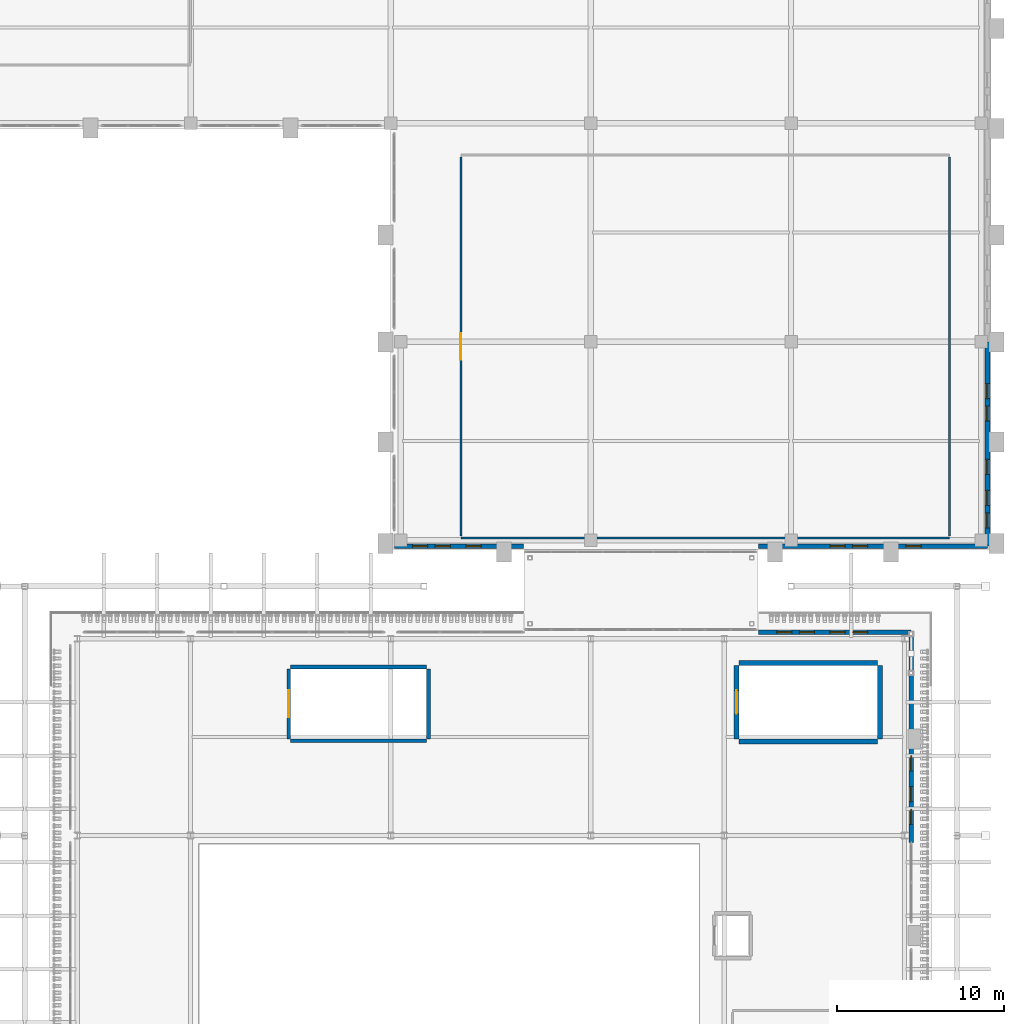
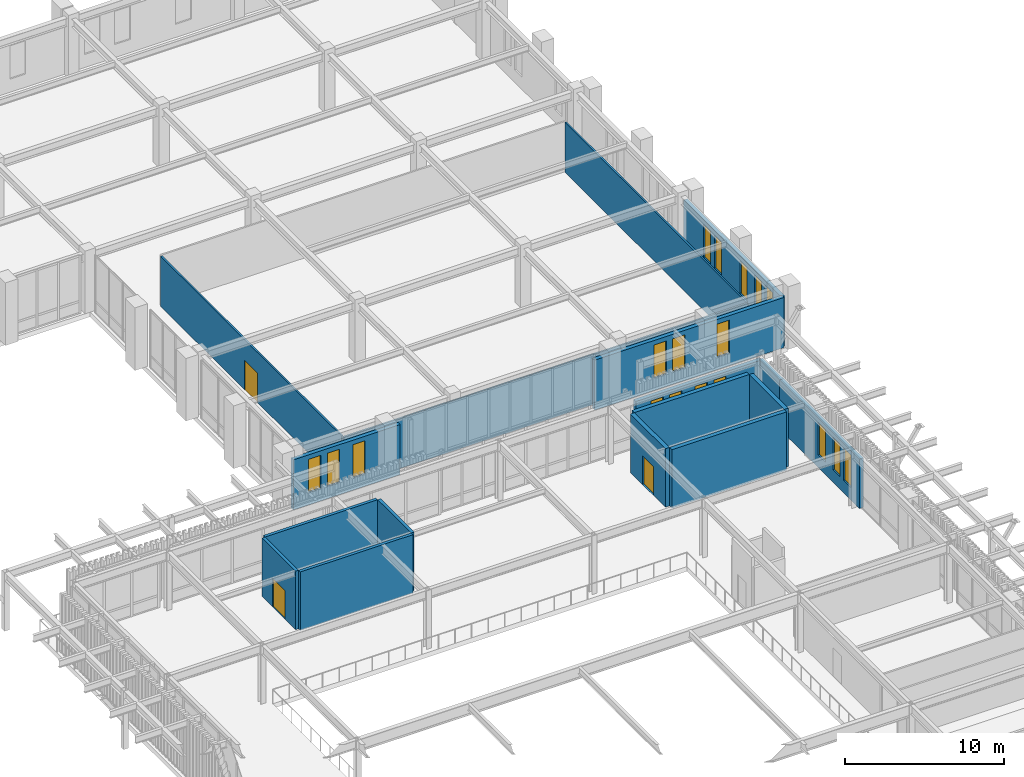
# One storey, part 99 of 126: 18 windows, 17 walls, 3 doors, 21 openings.
"""IFC4 building model written with IfcOpenShell, lengths in metres."""

from ifc_helpers import new_model, si_unit, derived_unit, direction, frame, frame_2d, origin, place, context, subcontext, project, spatial, rectangle, extrude, material, layer, layer_set, type_object, element, fill, save


model = new_model("IFC4")

# Units and contexts
model_context = context("Model", 3, precision=1e-05, world=origin(), true_north=direction((0.0, 1.0)))
body_context = subcontext(model_context, "Body", "Model", "MODEL_VIEW")
ifc_project = project(units=[si_unit("LENGTHUNIT", "METRE"), si_unit("AREAUNIT", "SQUARE_METRE"), si_unit("VOLUMEUNIT", "CUBIC_METRE"), si_unit("PLANEANGLEUNIT", "RADIAN"), si_unit("MASSUNIT", "GRAM", prefix="KILO"), derived_unit("THERMALTRANSMITTANCEUNIT", [(si_unit("MASSUNIT", "GRAM", prefix="KILO"), 1), (si_unit("TIMEUNIT", "SECOND"), -3), (si_unit("THERMODYNAMICTEMPERATUREUNIT", "KELVIN"), -1)])], contexts=[model_context])

# Site, building, storey
site_placement = place(None, origin())
site = spatial("IfcSite", under=ifc_project, at=site_placement, CompositionType="ELEMENT")
building_placement = place(site_placement, origin())
building = spatial("IfcBuilding", under=site, at=building_placement, Name="Valcora Ridge Arena", CompositionType="ELEMENT")
storey_placement = place(building_placement, frame((0.0, 0.0, 11.39990234375)))
storey = spatial("IfcBuildingStorey", under=building, at=storey_placement, Name="L02", CompositionType="ELEMENT", Elevation=11.39990234375)

# Wall, openings, windows
ifc_material_1 = material(Name="Bush-hammered Andean travertine on concrete backup C40/50", Category="masonry")
ifc_layer_1 = layer(ifc_material_1, 0.280029296875, Name="Bush-hammered Andean travertine on concrete backup C40/50")
ifc_layer_set_1 = layer_set([ifc_layer_1], Name="Bush-hammered Andean travertine on concrete backup C40/50")
wall_type_1 = type_object("IfcWallType", Name="TY-WALL-EW-TRV-28-38", PredefinedType="STANDARD", material=ifc_layer_set_1)
wall_1_placement = place(storey_placement, frame((187.199951171875, 65.580078125, 0.0), z_axis=(0.0, 0.0, 1.0), x_axis=(0.0, 1.0, 0.0)))
wall_1 = element("IfcWall", 1, at=wall_1_placement, inside=storey, type_object=wall_type_1, Name="EW-TRV-28-38 WAL-EW-0022", PredefinedType="STANDARD", context=body_context, shape_type="SweptSolid", body=[
    extrude(rectangle(XDim=10.02001953125, YDim=0.280029296875, at=frame_2d((5.010009765625, 0.0))), origin(), (0.0, 0.0, 1.0), 3.787109375),
])
opening_1_placement = place(wall_1_placement, frame((1.10009765625, 0.0, 0.949951171875)))
opening_1 = element("IfcOpeningElement", 2, at=opening_1_placement, cuts=wall_1, Name="Opening W-GLAN-90X249", PredefinedType="OPENING", context=body_context, shape_type="SweptSolid", body=[
    extrude(rectangle(XDim=0.89990234375, YDim=2.489990234375, at=frame_2d((0.449951171875, 1.2451171875))), frame((0.0, 0.14990234375, 0.0), z_axis=(0.0, -1.0, 0.0), x_axis=(1.0, 0.0, 0.0)), (0.0, 0.0, 1.0), 0.300048828125),
])
opening_2_placement = place(wall_1_placement, frame((2.449951171875, 0.0, 0.949951171875)))
opening_2 = element("IfcOpeningElement", 3, at=opening_2_placement, cuts=wall_1, Name="Opening W-GLAN-90X249", PredefinedType="OPENING", context=body_context, shape_type="SweptSolid", body=[
    extrude(rectangle(XDim=0.89990234375, YDim=2.489990234375, at=frame_2d((0.449951171875, 1.2451171875))), frame((0.0, 0.14990234375, 0.0), z_axis=(0.0, -1.0, 0.0), x_axis=(1.0, 0.0, 0.0)), (0.0, 0.0, 1.0), 0.300048828125),
])
opening_3_placement = place(wall_1_placement, frame((4.300048828125, 0.0, 0.949951171875)))
opening_3 = element("IfcOpeningElement", 4, at=opening_3_placement, cuts=wall_1, Name="Opening W-GLAN-90X249", PredefinedType="OPENING", context=body_context, shape_type="SweptSolid", body=[
    extrude(rectangle(XDim=0.89990234375, YDim=2.489990234375, at=frame_2d((0.449951171875, 1.2451171875))), frame((0.0, 0.14990234375, 0.0), z_axis=(0.0, -1.0, 0.0), x_axis=(1.0, 0.0, 0.0)), (0.0, 0.0, 1.0), 0.300048828125),
])
ifc_material_2 = material(Name="Low-iron solar-control double glazing SHGC 0.28", Category="glass")
window_type_1 = type_object("IfcWindowType", Name="TY-WINDOW-W-GLAN-90X249", PartitioningType="DOUBLE_PANEL_VERTICAL", PredefinedType="WINDOW", material=ifc_material_2)
window_1_placement = place(opening_1_placement, origin())
window_1 = element("IfcWindow", 5, at=window_1_placement, inside=storey, type_object=window_type_1, Name="W-GLAN-90X249 WIN-EX-0018", OverallHeight=2.489990234375, OverallWidth=0.89990234375, PartitioningType="DOUBLE_PANEL_VERTICAL", PredefinedType="WINDOW", context=body_context, shape_type="SweptSolid", body=[
    extrude(rectangle(XDim=0.89990234375, YDim=2.489990234375, at=frame_2d((0.449951171875, 1.2451171875))), frame((0.0, 0.030029296875, 0.0), z_axis=(0.0, -1.0, 0.0), x_axis=(1.0, 0.0, 0.0)), (0.0, 0.0, 1.0), 0.06005859375),
])
fill(opening_1, window_1)
window_2_placement = place(opening_2_placement, origin())
window_2 = element("IfcWindow", 6, at=window_2_placement, inside=storey, type_object=window_type_1, Name="W-GLAN-90X249 WIN-EX-0019", OverallHeight=2.489990234375, OverallWidth=0.89990234375, PartitioningType="DOUBLE_PANEL_VERTICAL", PredefinedType="WINDOW", context=body_context, shape_type="SweptSolid", body=[
    extrude(rectangle(XDim=0.89990234375, YDim=2.489990234375, at=frame_2d((0.449951171875, 1.2451171875))), frame((0.0, 0.030029296875, 0.0), z_axis=(0.0, -1.0, 0.0), x_axis=(1.0, 0.0, 0.0)), (0.0, 0.0, 1.0), 0.06005859375),
])
fill(opening_2, window_2)
window_3_placement = place(opening_3_placement, origin())
window_3 = element("IfcWindow", 7, at=window_3_placement, inside=storey, type_object=window_type_1, Name="W-GLAN-90X249 WIN-EX-0020", OverallHeight=2.489990234375, OverallWidth=0.89990234375, PartitioningType="DOUBLE_PANEL_VERTICAL", PredefinedType="WINDOW", context=body_context, shape_type="SweptSolid", body=[
    extrude(rectangle(XDim=0.89990234375, YDim=2.489990234375, at=frame_2d((0.449951171875, 1.2451171875))), frame((0.0, 0.030029296875, 0.0), z_axis=(0.0, -1.0, 0.0), x_axis=(1.0, 0.0, 0.0)), (0.0, 0.0, 1.0), 0.06005859375),
])
fill(opening_3, window_3)

# Wall
wall_2_placement = place(storey_placement, frame((187.199951171875, 75.60009765625, 0.0), z_axis=(0.0, 0.0, 1.0), x_axis=(0.0, 1.0, 0.0)))
element("IfcWall", 8, at=wall_2_placement, inside=storey, type_object=wall_type_1, Name="EW-TRV-28-38 WAL-EW-0023", PredefinedType="STANDARD", context=body_context, shape_type="SweptSolid", body=[
    extrude(rectangle(XDim=2.599853515625, YDim=0.280029296875, at=frame_2d((1.2998046875, 0.0))), origin(), (0.0, 0.0, 1.0), 3.787109375),
])

# Wall, openings, windows
wall_3_placement = place(storey_placement, frame((178.050048828125, 78.199951171875, 0.0), z_axis=(0.0, 0.0, 1.0), x_axis=(1.0, 0.0, 0.0)))
wall_3 = element("IfcWall", 9, at=wall_3_placement, inside=storey, type_object=wall_type_1, Name="EW-TRV-28-38 WAL-EW-0024", PredefinedType="STANDARD", context=body_context, shape_type="SweptSolid", body=[
    extrude(rectangle(XDim=9.14990234375, YDim=0.280029296875, at=frame_2d((4.574951171875, 0.0))), origin(), (0.0, 0.0, 1.0), 3.787109375),
])
opening_4_placement = place(wall_3_placement, frame((1.10009765625, 0.0, 0.949951171875)))
opening_4 = element("IfcOpeningElement", 10, at=opening_4_placement, cuts=wall_3, Name="Opening W-GLAN-90X249", PredefinedType="OPENING", context=body_context, shape_type="SweptSolid", body=[
    extrude(rectangle(XDim=0.89990234375, YDim=2.489990234375, at=frame_2d((0.449951171875, 1.2451171875))), frame((0.0, 0.14990234375, 0.0), z_axis=(0.0, -1.0, 0.0), x_axis=(1.0, 0.0, 0.0)), (0.0, 0.0, 1.0), 0.300048828125),
])
opening_5_placement = place(wall_3_placement, frame((2.449951171875, 0.0, 0.949951171875)))
opening_5 = element("IfcOpeningElement", 11, at=opening_5_placement, cuts=wall_3, Name="Opening W-GLAN-90X249", PredefinedType="OPENING", context=body_context, shape_type="SweptSolid", body=[
    extrude(rectangle(XDim=0.89990234375, YDim=2.489990234375, at=frame_2d((0.449951171875, 1.2451171875))), frame((0.0, 0.14990234375, 0.0), z_axis=(0.0, -1.0, 0.0), x_axis=(1.0, 0.0, 0.0)), (0.0, 0.0, 1.0), 0.300048828125),
])
opening_6_placement = place(wall_3_placement, frame((4.300048828125, 0.0, 0.949951171875)))
opening_6 = element("IfcOpeningElement", 12, at=opening_6_placement, cuts=wall_3, Name="Opening W-GLAN-90X249", PredefinedType="OPENING", context=body_context, shape_type="SweptSolid", body=[
    extrude(rectangle(XDim=0.89990234375, YDim=2.489990234375, at=frame_2d((0.449951171875, 1.2451171875))), frame((0.0, 0.14990234375, 0.0), z_axis=(0.0, -1.0, 0.0), x_axis=(1.0, 0.0, 0.0)), (0.0, 0.0, 1.0), 0.300048828125),
])
opening_7_placement = place(wall_3_placement, frame((5.64990234375, 0.0, 0.949951171875)))
opening_7 = element("IfcOpeningElement", 13, at=opening_7_placement, cuts=wall_3, Name="Opening W-GLAN-90X249", PredefinedType="OPENING", context=body_context, shape_type="SweptSolid", body=[
    extrude(rectangle(XDim=0.89990234375, YDim=2.489990234375, at=frame_2d((0.449951171875, 1.2451171875))), frame((0.0, 0.14990234375, 0.0), z_axis=(0.0, -1.0, 0.0), x_axis=(1.0, 0.0, 0.0)), (0.0, 0.0, 1.0), 0.300048828125),
])
window_4_placement = place(opening_4_placement, origin())
window_4 = element("IfcWindow", 14, at=window_4_placement, inside=storey, type_object=window_type_1, Name="W-GLAN-90X249 WIN-EX-0021", OverallHeight=2.489990234375, OverallWidth=0.89990234375, PartitioningType="DOUBLE_PANEL_VERTICAL", PredefinedType="WINDOW", context=body_context, shape_type="SweptSolid", body=[
    extrude(rectangle(XDim=0.89990234375, YDim=2.489990234375, at=frame_2d((0.449951171875, 1.2451171875))), frame((0.0, 0.030029296875, 0.0), z_axis=(0.0, -1.0, 0.0), x_axis=(1.0, 0.0, 0.0)), (0.0, 0.0, 1.0), 0.06005859375),
])
fill(opening_4, window_4)
window_5_placement = place(opening_5_placement, origin())
window_5 = element("IfcWindow", 15, at=window_5_placement, inside=storey, type_object=window_type_1, Name="W-GLAN-90X249 WIN-EX-0022", OverallHeight=2.489990234375, OverallWidth=0.89990234375, PartitioningType="DOUBLE_PANEL_VERTICAL", PredefinedType="WINDOW", context=body_context, shape_type="SweptSolid", body=[
    extrude(rectangle(XDim=0.89990234375, YDim=2.489990234375, at=frame_2d((0.449951171875, 1.2451171875))), frame((0.0, 0.030029296875, 0.0), z_axis=(0.0, -1.0, 0.0), x_axis=(1.0, 0.0, 0.0)), (0.0, 0.0, 1.0), 0.06005859375),
])
fill(opening_5, window_5)
window_6_placement = place(opening_6_placement, origin())
window_6 = element("IfcWindow", 16, at=window_6_placement, inside=storey, type_object=window_type_1, Name="W-GLAN-90X249 WIN-EX-0023", OverallHeight=2.489990234375, OverallWidth=0.89990234375, PartitioningType="DOUBLE_PANEL_VERTICAL", PredefinedType="WINDOW", context=body_context, shape_type="SweptSolid", body=[
    extrude(rectangle(XDim=0.89990234375, YDim=2.489990234375, at=frame_2d((0.449951171875, 1.2451171875))), frame((0.0, 0.030029296875, 0.0), z_axis=(0.0, -1.0, 0.0), x_axis=(1.0, 0.0, 0.0)), (0.0, 0.0, 1.0), 0.06005859375),
])
fill(opening_6, window_6)
window_7_placement = place(opening_7_placement, origin())
window_7 = element("IfcWindow", 17, at=window_7_placement, inside=storey, type_object=window_type_1, Name="W-GLAN-90X249 WIN-EX-0024", OverallHeight=2.489990234375, OverallWidth=0.89990234375, PartitioningType="DOUBLE_PANEL_VERTICAL", PredefinedType="WINDOW", context=body_context, shape_type="SweptSolid", body=[
    extrude(rectangle(XDim=0.89990234375, YDim=2.489990234375, at=frame_2d((0.449951171875, 1.2451171875))), frame((0.0, 0.030029296875, 0.0), z_axis=(0.0, -1.0, 0.0), x_axis=(1.0, 0.0, 0.0)), (0.0, 0.0, 1.0), 0.06005859375),
])
fill(opening_7, window_7)

wall_4_placement = place(storey_placement, frame((191.780029296875, 83.35009765625, 0.0), z_axis=(0.0, 0.0, 1.0), x_axis=(0.0, 1.0, 0.0)))
wall_4 = element("IfcWall", 18, at=wall_4_placement, inside=storey, type_object=wall_type_1, Name="EW-TRV-28-38 WAL-EW-0179", PredefinedType="STANDARD", context=body_context, shape_type="SweptSolid", body=[
    extrude(rectangle(XDim=12.25, YDim=0.280029296875, at=frame_2d((6.125, 0.0))), origin(), (0.0, 0.0, 1.0), 3.838134765625),
])
opening_8_placement = place(wall_4_placement, frame((1.10009765625, 0.0, 0.949951171875)))
opening_8 = element("IfcOpeningElement", 19, at=opening_8_placement, cuts=wall_4, Name="Opening W-GLAN-90X254", PredefinedType="OPENING", context=body_context, shape_type="SweptSolid", body=[
    extrude(rectangle(XDim=0.89990234375, YDim=2.5400390625, at=frame_2d((0.449951171875, 1.27001953125))), frame((0.0, 0.14990234375, 0.0), z_axis=(0.0, -1.0, 0.0), x_axis=(1.0, 0.0, 0.0)), (0.0, 0.0, 1.0), 0.300048828125),
])
opening_9_placement = place(wall_4_placement, frame((2.449951171875, 0.0, 0.949951171875)))
opening_9 = element("IfcOpeningElement", 20, at=opening_9_placement, cuts=wall_4, Name="Opening W-GLAN-90X254", PredefinedType="OPENING", context=body_context, shape_type="SweptSolid", body=[
    extrude(rectangle(XDim=0.89990234375, YDim=2.5400390625, at=frame_2d((0.449951171875, 1.27001953125))), frame((0.0, 0.14990234375, 0.0), z_axis=(0.0, -1.0, 0.0), x_axis=(1.0, 0.0, 0.0)), (0.0, 0.0, 1.0), 0.300048828125),
])
opening_10_placement = place(wall_4_placement, frame((4.300048828125, 0.0, 0.949951171875)))
opening_10 = element("IfcOpeningElement", 21, at=opening_10_placement, cuts=wall_4, Name="Opening W-GLAN-90X254", PredefinedType="OPENING", context=body_context, shape_type="SweptSolid", body=[
    extrude(rectangle(XDim=0.89990234375, YDim=2.5400390625, at=frame_2d((0.449951171875, 1.27001953125))), frame((0.0, 0.14990234375, 0.0), z_axis=(0.0, -1.0, 0.0), x_axis=(1.0, 0.0, 0.0)), (0.0, 0.0, 1.0), 0.300048828125),
])
opening_11_placement = place(wall_4_placement, frame((7.5, 0.0, 0.949951171875)))
opening_11 = element("IfcOpeningElement", 22, at=opening_11_placement, cuts=wall_4, Name="Opening W-GLAN-90X254", PredefinedType="OPENING", context=body_context, shape_type="SweptSolid", body=[
    extrude(rectangle(XDim=0.89990234375, YDim=2.5400390625, at=frame_2d((0.449951171875, 1.27001953125))), frame((0.0, 0.14990234375, 0.0), z_axis=(0.0, -1.0, 0.0), x_axis=(1.0, 0.0, 0.0)), (0.0, 0.0, 1.0), 0.300048828125),
])
opening_12_placement = place(wall_4_placement, frame((8.85009765625, 0.0, 0.949951171875)))
opening_12 = element("IfcOpeningElement", 23, at=opening_12_placement, cuts=wall_4, Name="Opening W-GLAN-90X254", PredefinedType="OPENING", context=body_context, shape_type="SweptSolid", body=[
    extrude(rectangle(XDim=0.89990234375, YDim=2.5400390625, at=frame_2d((0.449951171875, 1.27001953125))), frame((0.0, 0.14990234375, 0.0), z_axis=(0.0, -1.0, 0.0), x_axis=(1.0, 0.0, 0.0)), (0.0, 0.0, 1.0), 0.300048828125),
])
window_type_2 = type_object("IfcWindowType", Name="TY-WINDOW-W-GLAN-90X254", PartitioningType="DOUBLE_PANEL_VERTICAL", PredefinedType="WINDOW", material=ifc_material_2)
window_8_placement = place(opening_8_placement, origin())
window_8 = element("IfcWindow", 24, at=window_8_placement, inside=storey, type_object=window_type_2, Name="W-GLAN-90X254 WIN-EX-0542", OverallHeight=2.5400390625, OverallWidth=0.89990234375, PartitioningType="DOUBLE_PANEL_VERTICAL", PredefinedType="WINDOW", context=body_context, shape_type="SweptSolid", body=[
    extrude(rectangle(XDim=0.89990234375, YDim=2.5400390625, at=frame_2d((0.449951171875, 1.27001953125))), frame((0.0, 0.030029296875, 0.0), z_axis=(0.0, -1.0, 0.0), x_axis=(1.0, 0.0, 0.0)), (0.0, 0.0, 1.0), 0.06005859375),
])
fill(opening_8, window_8)
window_9_placement = place(opening_9_placement, origin())
window_9 = element("IfcWindow", 25, at=window_9_placement, inside=storey, type_object=window_type_2, Name="W-GLAN-90X254 WIN-EX-0543", OverallHeight=2.5400390625, OverallWidth=0.89990234375, PartitioningType="DOUBLE_PANEL_VERTICAL", PredefinedType="WINDOW", context=body_context, shape_type="SweptSolid", body=[
    extrude(rectangle(XDim=0.89990234375, YDim=2.5400390625, at=frame_2d((0.449951171875, 1.27001953125))), frame((0.0, 0.030029296875, 0.0), z_axis=(0.0, -1.0, 0.0), x_axis=(1.0, 0.0, 0.0)), (0.0, 0.0, 1.0), 0.06005859375),
])
fill(opening_9, window_9)
window_10_placement = place(opening_10_placement, origin())
window_10 = element("IfcWindow", 26, at=window_10_placement, inside=storey, type_object=window_type_2, Name="W-GLAN-90X254 WIN-EX-0544", OverallHeight=2.5400390625, OverallWidth=0.89990234375, PartitioningType="DOUBLE_PANEL_VERTICAL", PredefinedType="WINDOW", context=body_context, shape_type="SweptSolid", body=[
    extrude(rectangle(XDim=0.89990234375, YDim=2.5400390625, at=frame_2d((0.449951171875, 1.27001953125))), frame((0.0, 0.030029296875, 0.0), z_axis=(0.0, -1.0, 0.0), x_axis=(1.0, 0.0, 0.0)), (0.0, 0.0, 1.0), 0.06005859375),
])
fill(opening_10, window_10)
window_11_placement = place(opening_11_placement, origin())
window_11 = element("IfcWindow", 27, at=window_11_placement, inside=storey, type_object=window_type_2, Name="W-GLAN-90X254 WIN-EX-0545", OverallHeight=2.5400390625, OverallWidth=0.89990234375, PartitioningType="DOUBLE_PANEL_VERTICAL", PredefinedType="WINDOW", context=body_context, shape_type="SweptSolid", body=[
    extrude(rectangle(XDim=0.89990234375, YDim=2.5400390625, at=frame_2d((0.449951171875, 1.27001953125))), frame((0.0, 0.030029296875, 0.0), z_axis=(0.0, -1.0, 0.0), x_axis=(1.0, 0.0, 0.0)), (0.0, 0.0, 1.0), 0.06005859375),
])
fill(opening_11, window_11)
window_12_placement = place(opening_12_placement, origin())
window_12 = element("IfcWindow", 28, at=window_12_placement, inside=storey, type_object=window_type_2, Name="W-GLAN-90X254 WIN-EX-0546", OverallHeight=2.5400390625, OverallWidth=0.89990234375, PartitioningType="DOUBLE_PANEL_VERTICAL", PredefinedType="WINDOW", context=body_context, shape_type="SweptSolid", body=[
    extrude(rectangle(XDim=0.89990234375, YDim=2.5400390625, at=frame_2d((0.449951171875, 1.27001953125))), frame((0.0, 0.030029296875, 0.0), z_axis=(0.0, -1.0, 0.0), x_axis=(1.0, 0.0, 0.0)), (0.0, 0.0, 1.0), 0.06005859375),
])
fill(opening_12, window_12)

wall_5_placement = place(storey_placement, frame((156.219970703125, 83.35009765625, 0.0), z_axis=(0.0, 0.0, 1.0), x_axis=(1.0, 0.0, 0.0)))
wall_5 = element("IfcWall", 29, at=wall_5_placement, inside=storey, type_object=wall_type_1, Name="EW-TRV-28-38 WAL-EW-0192", PredefinedType="STANDARD", context=body_context, shape_type="SweptSolid", body=[
    extrude(rectangle(XDim=7.72998046875, YDim=0.280029296875, at=frame_2d((3.864990234375, 0.0))), origin(), (0.0, 0.0, 1.0), 3.838134765625),
])
opening_13_placement = place(wall_5_placement, frame((1.10009765625, 0.0, 0.949951171875)))
opening_13 = element("IfcOpeningElement", 30, at=opening_13_placement, cuts=wall_5, Name="Opening W-GLAN-90X254", PredefinedType="OPENING", context=body_context, shape_type="SweptSolid", body=[
    extrude(rectangle(XDim=0.89990234375, YDim=2.5400390625, at=frame_2d((0.449951171875, 1.27001953125))), frame((0.0, 0.14990234375, 0.0), z_axis=(0.0, -1.0, 0.0), x_axis=(1.0, 0.0, 0.0)), (0.0, 0.0, 1.0), 0.300048828125),
])
opening_14_placement = place(wall_5_placement, frame((2.449951171875, 0.0, 0.949951171875)))
opening_14 = element("IfcOpeningElement", 31, at=opening_14_placement, cuts=wall_5, Name="Opening W-GLAN-90X254", PredefinedType="OPENING", context=body_context, shape_type="SweptSolid", body=[
    extrude(rectangle(XDim=0.89990234375, YDim=2.5400390625, at=frame_2d((0.449951171875, 1.27001953125))), frame((0.0, 0.14990234375, 0.0), z_axis=(0.0, -1.0, 0.0), x_axis=(1.0, 0.0, 0.0)), (0.0, 0.0, 1.0), 0.300048828125),
])
opening_15_placement = place(wall_5_placement, frame((4.300048828125, 0.0, 0.949951171875)))
opening_15 = element("IfcOpeningElement", 32, at=opening_15_placement, cuts=wall_5, Name="Opening W-GLAN-90X254", PredefinedType="OPENING", context=body_context, shape_type="SweptSolid", body=[
    extrude(rectangle(XDim=0.89990234375, YDim=2.5400390625, at=frame_2d((0.449951171875, 1.27001953125))), frame((0.0, 0.14990234375, 0.0), z_axis=(0.0, -1.0, 0.0), x_axis=(1.0, 0.0, 0.0)), (0.0, 0.0, 1.0), 0.300048828125),
])
window_13_placement = place(opening_13_placement, origin())
window_13 = element("IfcWindow", 33, at=window_13_placement, inside=storey, type_object=window_type_2, Name="W-GLAN-90X254 WIN-EX-0578", OverallHeight=2.5400390625, OverallWidth=0.89990234375, PartitioningType="DOUBLE_PANEL_VERTICAL", PredefinedType="WINDOW", context=body_context, shape_type="SweptSolid", body=[
    extrude(rectangle(XDim=0.89990234375, YDim=2.5400390625, at=frame_2d((0.449951171875, 1.27001953125))), frame((0.0, 0.030029296875, 0.0), z_axis=(0.0, -1.0, 0.0), x_axis=(1.0, 0.0, 0.0)), (0.0, 0.0, 1.0), 0.06005859375),
])
fill(opening_13, window_13)
window_14_placement = place(opening_14_placement, origin())
window_14 = element("IfcWindow", 34, at=window_14_placement, inside=storey, type_object=window_type_2, Name="W-GLAN-90X254 WIN-EX-0579", OverallHeight=2.5400390625, OverallWidth=0.89990234375, PartitioningType="DOUBLE_PANEL_VERTICAL", PredefinedType="WINDOW", context=body_context, shape_type="SweptSolid", body=[
    extrude(rectangle(XDim=0.89990234375, YDim=2.5400390625, at=frame_2d((0.449951171875, 1.27001953125))), frame((0.0, 0.030029296875, 0.0), z_axis=(0.0, -1.0, 0.0), x_axis=(1.0, 0.0, 0.0)), (0.0, 0.0, 1.0), 0.06005859375),
])
fill(opening_14, window_14)
window_15_placement = place(opening_15_placement, origin())
window_15 = element("IfcWindow", 35, at=window_15_placement, inside=storey, type_object=window_type_2, Name="W-GLAN-90X254 WIN-EX-0580", OverallHeight=2.5400390625, OverallWidth=0.89990234375, PartitioningType="DOUBLE_PANEL_VERTICAL", PredefinedType="WINDOW", context=body_context, shape_type="SweptSolid", body=[
    extrude(rectangle(XDim=0.89990234375, YDim=2.5400390625, at=frame_2d((0.449951171875, 1.27001953125))), frame((0.0, 0.030029296875, 0.0), z_axis=(0.0, -1.0, 0.0), x_axis=(1.0, 0.0, 0.0)), (0.0, 0.0, 1.0), 0.06005859375),
])
fill(opening_15, window_15)

wall_6_placement = place(storey_placement, frame((178.050048828125, 83.35009765625, 0.0), z_axis=(0.0, 0.0, 1.0), x_axis=(1.0, 0.0, 0.0)))
wall_6 = element("IfcWall", 36, at=wall_6_placement, inside=storey, type_object=wall_type_1, Name="EW-TRV-28-38 WAL-EW-0193", PredefinedType="STANDARD", context=body_context, shape_type="SweptSolid", body=[
    extrude(rectangle(XDim=13.72998046875, YDim=0.280029296875, at=frame_2d((6.864990234375, 0.0))), origin(), (0.0, 0.0, 1.0), 3.838134765625),
])
opening_16_placement = place(wall_6_placement, frame((4.300048828125, 0.0, 0.949951171875)))
opening_16 = element("IfcOpeningElement", 37, at=opening_16_placement, cuts=wall_6, Name="Opening W-GLAN-90X254", PredefinedType="OPENING", context=body_context, shape_type="SweptSolid", body=[
    extrude(rectangle(XDim=0.89990234375, YDim=2.5400390625, at=frame_2d((0.449951171875, 1.27001953125))), frame((0.0, 0.14990234375, 0.0), z_axis=(0.0, -1.0, 0.0), x_axis=(1.0, 0.0, 0.0)), (0.0, 0.0, 1.0), 0.300048828125),
])
opening_17_placement = place(wall_6_placement, frame((5.64990234375, 0.0, 0.949951171875)))
opening_17 = element("IfcOpeningElement", 38, at=opening_17_placement, cuts=wall_6, Name="Opening W-GLAN-90X254", PredefinedType="OPENING", context=body_context, shape_type="SweptSolid", body=[
    extrude(rectangle(XDim=0.89990234375, YDim=2.5400390625, at=frame_2d((0.449951171875, 1.27001953125))), frame((0.0, 0.14990234375, 0.0), z_axis=(0.0, -1.0, 0.0), x_axis=(1.0, 0.0, 0.0)), (0.0, 0.0, 1.0), 0.300048828125),
])
opening_18_placement = place(wall_6_placement, frame((8.85009765625, 0.0, 0.949951171875)))
opening_18 = element("IfcOpeningElement", 39, at=opening_18_placement, cuts=wall_6, Name="Opening W-GLAN-90X254", PredefinedType="OPENING", context=body_context, shape_type="SweptSolid", body=[
    extrude(rectangle(XDim=0.89990234375, YDim=2.5400390625, at=frame_2d((0.449951171875, 1.27001953125))), frame((0.0, 0.14990234375, 0.0), z_axis=(0.0, -1.0, 0.0), x_axis=(1.0, 0.0, 0.0)), (0.0, 0.0, 1.0), 0.300048828125),
])
window_16_placement = place(opening_16_placement, origin())
window_16 = element("IfcWindow", 40, at=window_16_placement, inside=storey, type_object=window_type_2, Name="W-GLAN-90X254 WIN-EX-0581", OverallHeight=2.5400390625, OverallWidth=0.89990234375, PartitioningType="DOUBLE_PANEL_VERTICAL", PredefinedType="WINDOW", context=body_context, shape_type="SweptSolid", body=[
    extrude(rectangle(XDim=0.89990234375, YDim=2.5400390625, at=frame_2d((0.449951171875, 1.27001953125))), frame((0.0, 0.030029296875, 0.0), z_axis=(0.0, -1.0, 0.0), x_axis=(1.0, 0.0, 0.0)), (0.0, 0.0, 1.0), 0.06005859375),
])
fill(opening_16, window_16)
window_17_placement = place(opening_17_placement, origin())
window_17 = element("IfcWindow", 41, at=window_17_placement, inside=storey, type_object=window_type_2, Name="W-GLAN-90X254 WIN-EX-0582", OverallHeight=2.5400390625, OverallWidth=0.89990234375, PartitioningType="DOUBLE_PANEL_VERTICAL", PredefinedType="WINDOW", context=body_context, shape_type="SweptSolid", body=[
    extrude(rectangle(XDim=0.89990234375, YDim=2.5400390625, at=frame_2d((0.449951171875, 1.27001953125))), frame((0.0, 0.030029296875, 0.0), z_axis=(0.0, -1.0, 0.0), x_axis=(1.0, 0.0, 0.0)), (0.0, 0.0, 1.0), 0.06005859375),
])
fill(opening_17, window_17)
window_18_placement = place(opening_18_placement, origin())
window_18 = element("IfcWindow", 42, at=window_18_placement, inside=storey, type_object=window_type_2, Name="W-GLAN-90X254 WIN-EX-0583", OverallHeight=2.5400390625, OverallWidth=0.89990234375, PartitioningType="DOUBLE_PANEL_VERTICAL", PredefinedType="WINDOW", context=body_context, shape_type="SweptSolid", body=[
    extrude(rectangle(XDim=0.89990234375, YDim=2.5400390625, at=frame_2d((0.449951171875, 1.27001953125))), frame((0.0, 0.030029296875, 0.0), z_axis=(0.0, -1.0, 0.0), x_axis=(1.0, 0.0, 0.0)), (0.0, 0.0, 1.0), 0.06005859375),
])
fill(opening_18, window_18)

# Wall
ifc_material_3 = material(Name="Acoustic metal-stud gypsum partition 120 mm")
ifc_layer_2 = layer(ifc_material_3, 0.1201171875, Name="Acoustic metal-stud gypsum partition 120 mm")
ifc_layer_set_2 = layer_set([ifc_layer_2], Name="Acoustic metal-stud gypsum partition 120 mm")
wall_type_2 = type_object("IfcWallType", Name="TY-WALL-IW-PART-120", PredefinedType="PARTITIONING", material=ifc_layer_set_2)
wall_7_placement = place(storey_placement, frame((160.199951171875, 83.85009765625, 0.0), z_axis=(0.0, 0.0, 1.0), x_axis=(1.0, 0.0, 0.0)))
element("IfcWall", 43, at=wall_7_placement, inside=storey, type_object=wall_type_2, Name="IW-PART-120 WAL-IN-0399", PredefinedType="PARTITIONING", context=body_context, shape_type="SweptSolid", body=[
    extrude(rectangle(XDim=29.300048828125, YDim=0.1201171875, at=frame_2d((14.64990234375, 0.0))), origin(), (0.0, 0.0, 1.0), 3.838134765625),
])

# Wall, opening, door
wall_8_placement = place(storey_placement, frame((160.199951171875, 83.969970703125, 0.0), z_axis=(0.0, 0.0, 1.0), x_axis=(0.0, 1.0, 0.0)))
wall_8 = element("IfcWall", 44, at=wall_8_placement, inside=storey, type_object=wall_type_2, Name="IW-PART-120 WAL-IN-0401", PredefinedType="PARTITIONING", context=body_context, shape_type="SweptSolid", body=[
    extrude(rectangle(XDim=22.7099609375, YDim=0.1201171875, at=frame_2d((11.35498046875, 0.0))), origin(), (0.0, 0.0, 1.0), 3.838134765625),
])
opening_19_placement = place(wall_8_placement, frame((10.554931640625, 0.0, 0.0)))
opening_19 = element("IfcOpeningElement", 45, at=opening_19_placement, cuts=wall_8, Name="Opening D-PUB-1600", PredefinedType="OPENING", context=body_context, shape_type="SweptSolid", body=[
    extrude(rectangle(XDim=1.60009765625, YDim=2.25, at=frame_2d((0.800048828125, 1.125))), frame((0.0, 0.070068359375, 0.0), z_axis=(0.0, -1.0, 0.0), x_axis=(1.0, 0.0, 0.0)), (0.0, 0.0, 1.0), 0.14013671875),
])
ifc_material_4 = material(Name="Solid-core acoustic timber veneer door leaf", Category="wood")
door_type_1 = type_object("IfcDoorType", Name="TY-DOOR-D-PUB-1600", OperationType="NOTDEFINED", PredefinedType="DOOR", material=ifc_material_4)
door_1_placement = place(opening_19_placement, origin())
door_1 = element("IfcDoor", 46, at=door_1_placement, inside=storey, type_object=door_type_1, Name="D-PUB-1600 DOR-IN-0105", OperationType="DOUBLE_DOOR_SINGLE_SWING", OverallHeight=2.25, OverallWidth=1.60009765625, PredefinedType="DOOR", context=body_context, shape_type="SweptSolid", body=[
    extrude(rectangle(XDim=1.60009765625, YDim=2.25, at=frame_2d((0.800048828125, 1.125))), frame((0.0, 0.02490234375, 0.0), z_axis=(0.0, -1.0, 0.0), x_axis=(1.0, 0.0, 0.0)), (0.0, 0.0, 1.0), 0.050048828125),
])
fill(opening_19, door_1)

# Walls
wall_9_placement = place(storey_placement, frame((189.5, 83.969970703125, 0.0), z_axis=(0.0, 0.0, 1.0), x_axis=(0.0, 1.0, 0.0)))
element("IfcWall", 47, at=wall_9_placement, inside=storey, type_object=wall_type_2, Name="IW-PART-120 WAL-IN-0402", PredefinedType="PARTITIONING", context=body_context, shape_type="SweptSolid", body=[
    extrude(rectangle(XDim=22.7099609375, YDim=0.1201171875, at=frame_2d((11.35498046875, 0.0))), origin(), (0.0, 0.0, 1.0), 3.838134765625),
])
ifc_material_5 = material(Name="Concrete C45/55", Category="concrete")
ifc_layer_3 = layer(ifc_material_5, 0.300048828125, Name="Concrete C45/55")
ifc_layer_set_3 = layer_set([ifc_layer_3], Name="Concrete C45/55")
wall_type_3 = type_object("IfcWallType", Name="TY-WALL-SW-C300-L", PredefinedType="SHEAR", material=ifc_layer_set_3)
for number, where, z_axis, x_axis, name in (
    (48, (176.8798828125, 71.64990234375, 0.0), (0.0, 0.0, 1.0), (1.0, 0.0, 0.0), "SW-C300-L WAL-CR-0237"),
    (49, (176.8798828125, 76.35009765625, 0.0), (0.0, 0.0, 1.0), (1.0, 0.0, 0.0), "SW-C300-L WAL-CR-0238"),
):
    element("IfcWall", number, at=place(storey_placement, frame(where, z_axis=z_axis, x_axis=x_axis)), inside=storey, type_object=wall_type_3, Name=name, PredefinedType="SHEAR", context=body_context, shape_type="SweptSolid", body=[
        extrude(rectangle(XDim=8.320068359375, YDim=0.300048828125, at=frame_2d((4.16015625, 0.0))), origin(), (0.0, 0.0, 1.0), 4.47998046875),
    ])

# Wall, opening, door
ifc_layer_4 = layer(ifc_material_5, 0.300048828125, Name="Concrete C45/55")
ifc_layer_set_4 = layer_set([ifc_layer_4], Name="Concrete C45/55")
wall_type_4 = type_object("IfcWallType", Name="TY-WALL-SW-C300-S", PredefinedType="SHEAR", material=ifc_layer_set_4)
wall_10_placement = place(storey_placement, frame((176.72998046875, 71.800048828125, 0.0), z_axis=(0.0, 0.0, 1.0), x_axis=(0.0, 1.0, 0.0)))
wall_10 = element("IfcWall", 50, at=wall_10_placement, inside=storey, type_object=wall_type_4, Name="SW-C300-S WAL-CR-0239", PredefinedType="SHEAR", context=body_context, shape_type="SweptSolid", body=[
    extrude(rectangle(XDim=4.39990234375, YDim=0.300048828125, at=frame_2d((2.199951171875, 0.0))), origin(), (0.0, 0.0, 1.0), 4.47998046875),
])
opening_20_placement = place(wall_10_placement, frame((1.5, 0.0, 0.0)))
opening_20 = element("IfcOpeningElement", 51, at=opening_20_placement, cuts=wall_10, Name="Opening FD-01", PredefinedType="OPENING", context=body_context, shape_type="SweptSolid", body=[
    extrude(rectangle(XDim=1.39990234375, YDim=2.199951171875, at=frame_2d((0.699951171875, 1.10009765625))), frame((0.0, 0.159912109375, 0.0), z_axis=(0.0, -1.0, 0.0), x_axis=(1.0, 0.0, 0.0)), (0.0, 0.0, 1.0), 0.320068359375),
])
ifc_material_6 = material(Name="Insulated fire-rated steel door leaf", Category="steel")
door_type_2 = type_object("IfcDoorType", Name="TY-DOOR-FD-01", OperationType="NOTDEFINED", PredefinedType="DOOR", material=ifc_material_6)
door_2_placement = place(opening_20_placement, origin())
door_2 = element("IfcDoor", 52, at=door_2_placement, inside=storey, type_object=door_type_2, Name="FD-01 DOR-ST-0060", OperationType="DOUBLE_DOOR_SINGLE_SWING", OverallHeight=2.199951171875, OverallWidth=1.39990234375, PredefinedType="DOOR", context=body_context, shape_type="SweptSolid", body=[
    extrude(rectangle(XDim=1.39990234375, YDim=2.199951171875, at=frame_2d((0.699951171875, 1.10009765625))), frame((0.0, 0.02490234375, 0.0), z_axis=(0.0, -1.0, 0.0), x_axis=(1.0, 0.0, 0.0)), (0.0, 0.0, 1.0), 0.050048828125),
])
fill(opening_20, door_2)

# Walls
wall_11_placement = place(storey_placement, frame((185.35009765625, 71.800048828125, 0.0), z_axis=(0.0, 0.0, 1.0), x_axis=(0.0, 1.0, 0.0)))
element("IfcWall", 53, at=wall_11_placement, inside=storey, type_object=wall_type_4, Name="SW-C300-S WAL-CR-0240", PredefinedType="SHEAR", context=body_context, shape_type="SweptSolid", body=[
    extrude(rectangle(XDim=4.39990234375, YDim=0.300048828125, at=frame_2d((2.199951171875, 0.0))), origin(), (0.0, 0.0, 1.0), 4.47998046875),
])
ifc_material_7 = material(Name="Fire-resisting reinforced concrete enclosure C40/50 200 mm", Category="concrete")
ifc_layer_5 = layer(ifc_material_7, 0.219970703125, Name="Fire-resisting reinforced concrete enclosure C40/50 200 mm")
ifc_layer_set_5 = layer_set([ifc_layer_5], Name="Fire-resisting reinforced concrete enclosure C40/50 200 mm")
wall_type_5 = type_object("IfcWallType", Name="TY-WALL-SW-ES-220", PredefinedType="SHEAR", material=ifc_layer_set_5)
for number, where, z_axis, x_axis, name in (
    (54, (150.0, 71.68994140625, 0.0), (0.0, 0.0, 1.0), (1.0, 0.0, 0.0), "SW-ES-220 WAL-ES-0221"),
    (55, (150.0, 76.110107421875, 0.0), (0.0, 0.0, 1.0), (1.0, 0.0, 0.0), "SW-ES-220 WAL-ES-0222"),
):
    element("IfcWall", number, at=place(storey_placement, frame(where, z_axis=z_axis, x_axis=x_axis)), inside=storey, type_object=wall_type_5, Name=name, PredefinedType="SHEAR", context=body_context, shape_type="SweptSolid", body=[
        extrude(rectangle(XDim=8.159912109375, YDim=0.219970703125, at=frame_2d((4.080078125, 0.0))), origin(), (0.0, 0.0, 1.0), 4.47998046875),
    ])

# Wall, opening, door
wall_12_placement = place(storey_placement, frame((149.889892578125, 71.800048828125, 0.0), z_axis=(0.0, 0.0, 1.0), x_axis=(0.0, 1.0, 0.0)))
wall_12 = element("IfcWall", 56, at=wall_12_placement, inside=storey, type_object=wall_type_5, Name="SW-ES-220 WAL-ES-0223", PredefinedType="SHEAR", context=body_context, shape_type="SweptSolid", body=[
    extrude(rectangle(XDim=4.199951171875, YDim=0.219970703125, at=frame_2d((2.10009765625, 0.0))), origin(), (0.0, 0.0, 1.0), 4.47998046875),
])
opening_21_placement = place(wall_12_placement, frame((1.300048828125, 0.0, 0.0)))
opening_21 = element("IfcOpeningElement", 57, at=opening_21_placement, cuts=wall_12, Name="Opening FD-02", PredefinedType="OPENING", context=body_context, shape_type="SweptSolid", body=[
    extrude(rectangle(XDim=1.60009765625, YDim=2.199951171875, at=frame_2d((0.800048828125, 1.10009765625))), frame((0.0, 0.119873046875, 0.0), z_axis=(0.0, -1.0, 0.0), x_axis=(1.0, 0.0, 0.0)), (0.0, 0.0, 1.0), 0.239990234375),
])
door_type_3 = type_object("IfcDoorType", Name="TY-DOOR-FD-02", OperationType="NOTDEFINED", PredefinedType="DOOR", material=ifc_material_6)
door_3_placement = place(opening_21_placement, origin())
door_3 = element("IfcDoor", 58, at=door_3_placement, inside=storey, type_object=door_type_3, Name="FD-02 DOR-ES-0050", OperationType="DOUBLE_DOOR_SINGLE_SWING", OverallHeight=2.199951171875, OverallWidth=1.60009765625, PredefinedType="DOOR", context=body_context, shape_type="SweptSolid", body=[
    extrude(rectangle(XDim=1.60009765625, YDim=2.199951171875, at=frame_2d((0.800048828125, 1.10009765625))), frame((0.0, 0.02490234375, 0.0), z_axis=(0.0, -1.0, 0.0), x_axis=(1.0, 0.0, 0.0)), (0.0, 0.0, 1.0), 0.050048828125),
])
fill(opening_21, door_3)

# Wall
wall_13_placement = place(storey_placement, frame((158.27001953125, 71.800048828125, 0.0), z_axis=(0.0, 0.0, 1.0), x_axis=(0.0, 1.0, 0.0)))
element("IfcWall", 59, at=wall_13_placement, inside=storey, type_object=wall_type_5, Name="SW-ES-220 WAL-ES-0224", PredefinedType="SHEAR", context=body_context, shape_type="SweptSolid", body=[
    extrude(rectangle(XDim=4.199951171875, YDim=0.219970703125, at=frame_2d((2.10009765625, 0.0))), origin(), (0.0, 0.0, 1.0), 4.47998046875),
])

save(model, "model.ifc")
